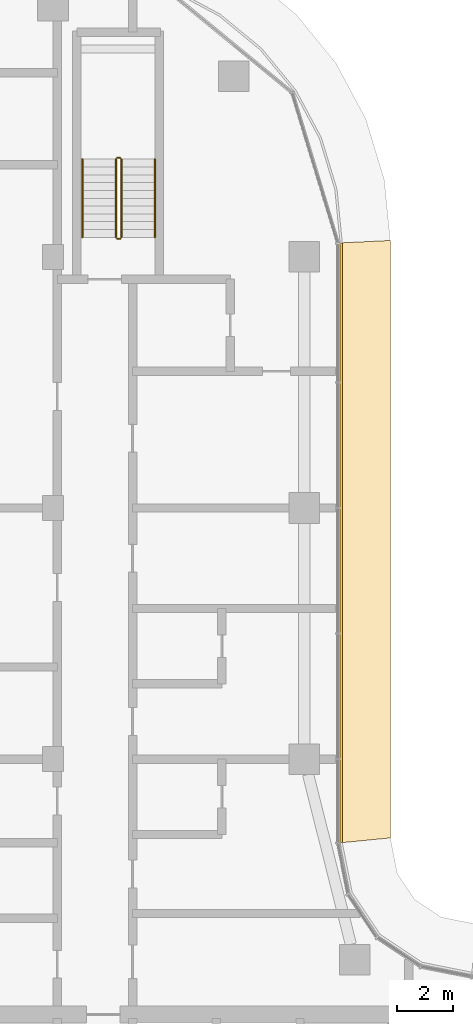
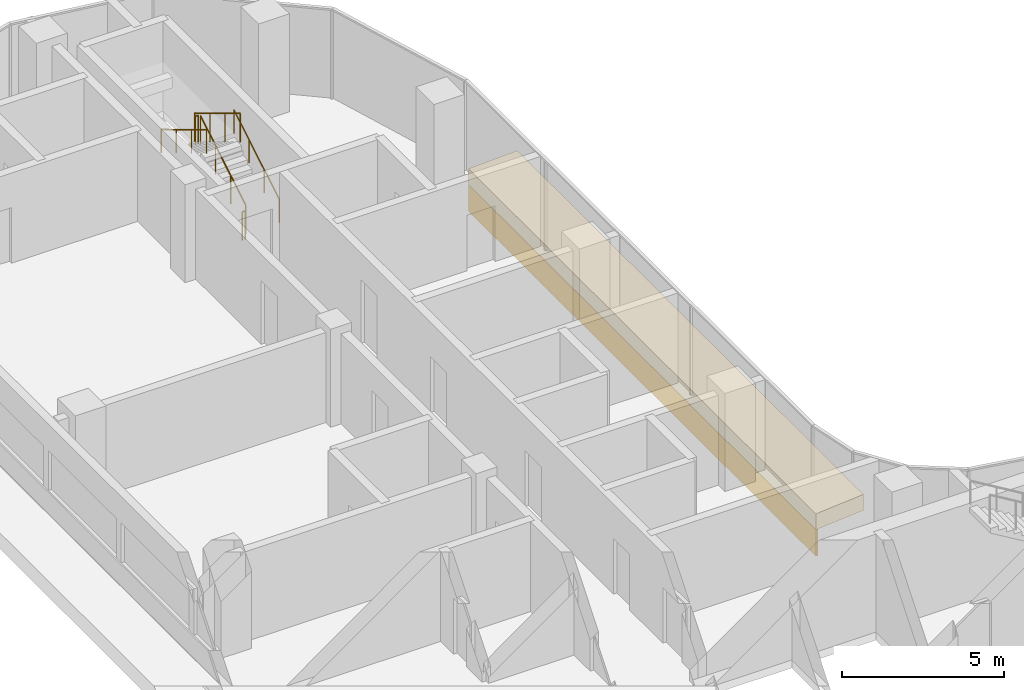
# One storey, part 26 of 27: 6 railings, 2 coverings.
"""IFC4 building model written with IfcOpenShell, lengths in metres."""

from ifc_helpers import new_model, si_unit, direction, frame, origin, origin_2d, place, context, subcontext, project, spatial, polyline, circle, outline, extrude, material, layer, layer_set, type_object, element, save


model = new_model("IFC4")

# Units and contexts
model_context = context("Model", 3, precision=1e-05, world=origin(), true_north=direction((0.0, 1.0)))
body_context = subcontext(model_context, "Body", "Model", "MODEL_VIEW")
ifc_project = project(units=[si_unit("LENGTHUNIT", "METRE"), si_unit("AREAUNIT", "SQUARE_METRE"), si_unit("VOLUMEUNIT", "CUBIC_METRE"), si_unit("PLANEANGLEUNIT", "RADIAN"), si_unit("MASSUNIT", "GRAM", prefix="KILO")], contexts=[model_context])

# Site, building, storey
site_placement = place(None, origin())
site = spatial("IfcSite", under=ifc_project, at=site_placement, CompositionType="ELEMENT")
building_placement = place(site_placement, origin())
building = spatial("IfcBuilding", under=site, at=building_placement, Name="Ogive Portal Towers", CompositionType="ELEMENT")
storey_placement = place(building_placement, frame((0.0, 0.0, 160.699951171875)))
storey = spatial("IfcBuildingStorey", under=building, at=storey_placement, Name="L39", CompositionType="ELEMENT", Elevation=160.699951171875)

# Railings
ifc_material_1 = material(Name="Stainless steel balustrade", Category="steel")
railing_type_1 = type_object("IfcRailingType", Name="INT-GUARD", PredefinedType="GUARDRAIL", material=ifc_material_1)
railing_1_placement = place(storey_placement, frame((42.949951171875, 67.199951171875, 0.168212890625)))
element("IfcRailing", 1, at=railing_1_placement, inside=storey, type_object=railing_type_1, Name="L39 ST-A3 stair guard 1", PredefinedType="GUARDRAIL", context=body_context, shape_type="SweptSolid", body=[
    extrude(circle(Radius=0.02392578125, at=origin_2d()), frame((0.0, 0.0, 1.076171875), z_axis=(0.0, 0.857242210791, 0.514913383045), x_axis=(-1.0, 0.0, 0.0)), (0.0, 0.0, 1.0), 3.266357421875),
    extrude(circle(Radius=0.02099609375, at=origin_2d()), origin(), (0.0, 0.0, 1.0), 1.052001953125),
    extrude(circle(Radius=0.02099609375, at=origin_2d()), frame((0.0, 0.933349609375, 0.560546875)), (0.0, 0.0, 1.0), 1.052001953125),
    extrude(circle(Radius=0.02099609375, at=origin_2d()), frame((0.0, 1.86669921875, 1.121337890625)), (0.0, 0.0, 1.0), 1.052001953125),
    extrude(circle(Radius=0.02099609375, at=origin_2d()), frame((0.0, 2.800048828125, 1.681884765625)), (0.0, 0.0, 1.0), 1.052001953125),
])
railing_2_placement = place(storey_placement, frame((42.89990234375, 70.050048828125, 1.85009765625)))
element("IfcRailing", 2, at=railing_2_placement, inside=storey, type_object=railing_type_1, Name="L39 ST-A3 stair guard 2", PredefinedType="GUARDRAIL", context=body_context, shape_type="SweptSolid", body=[
    extrude(circle(Radius=0.02392578125, at=origin_2d()), frame((0.0, 0.0, 1.076171875), z_axis=(-1.0, 0.0, 0.0), x_axis=(0.0, -1.0, 0.0)), (0.0, 0.0, 1.0), 0.099853515625),
    extrude(circle(Radius=0.02099609375, at=origin_2d()), origin(), (0.0, 0.0, 1.0), 1.052001953125),
    extrude(circle(Radius=0.02099609375, at=origin_2d()), frame((-0.099853515625, 0.0, 0.0)), (0.0, 0.0, 1.0), 1.052001953125),
])
railing_3_placement = place(storey_placement, frame((42.75, 70.0, 2.018310546875)))
element("IfcRailing", 3, at=railing_3_placement, inside=storey, type_object=railing_type_1, Name="L39 ST-A3 stair guard 3", PredefinedType="GUARDRAIL", context=body_context, shape_type="SweptSolid", body=[
    extrude(circle(Radius=0.02392578125, at=origin_2d()), frame((0.0, 0.0, 1.076171875), z_axis=(0.0, -0.857275202839, 0.514858452973), x_axis=(1.0, 0.0, 0.0)), (0.0, 0.0, 1.0), 3.26611328125),
    extrude(circle(Radius=0.02099609375, at=origin_2d()), origin(), (0.0, 0.0, 1.0), 1.052001953125),
    extrude(circle(Radius=0.02099609375, at=origin_2d()), frame((0.0, -0.933349609375, 0.560546875)), (0.0, 0.0, 1.0), 1.052001953125),
    extrude(circle(Radius=0.02099609375, at=origin_2d()), frame((0.0, -1.86669921875, 1.12109375)), (0.0, 0.0, 1.0), 1.052001953125),
    extrude(circle(Radius=0.02099609375, at=origin_2d()), frame((0.0, -2.800048828125, 1.681640625)), (0.0, 0.0, 1.0), 1.052001953125),
])
railing_4_placement = place(storey_placement, frame((42.89990234375, 67.14990234375, 0.0)))
element("IfcRailing", 4, at=railing_4_placement, inside=storey, type_object=railing_type_1, Name="L39 ST-A3 stair guard 4", PredefinedType="GUARDRAIL", context=body_context, shape_type="SweptSolid", body=[
    extrude(circle(Radius=0.02392578125, at=origin_2d()), frame((0.0, 0.0, 1.076171875), z_axis=(-1.0, 0.0, 0.0), x_axis=(0.0, -1.0, 0.0)), (0.0, 0.0, 1.0), 0.099853515625),
    extrude(circle(Radius=0.02099609375, at=origin_2d()), origin(), (0.0, 0.0, 1.0), 1.052001953125),
    extrude(circle(Radius=0.02099609375, at=origin_2d()), frame((-0.099853515625, 0.0, 0.0)), (0.0, 0.0, 1.0), 1.052001953125),
])
ifc_material_2 = material(Name="Stainless steel handrail", Category="steel")
railing_type_2 = type_object("IfcRailingType", Name="INT-HANDRAIL", PredefinedType="HANDRAIL", material=ifc_material_2)
railing_5_placement = place(storey_placement, frame((44.14990234375, 67.199951171875, 0.168212890625)))
element("IfcRailing", 5, at=railing_5_placement, inside=storey, type_object=railing_type_2, Name="L39 ST-A3 stair handrail 1", PredefinedType="HANDRAIL", context=body_context, shape_type="SweptSolid", body=[
    extrude(circle(Radius=0.02392578125, at=origin_2d()), frame((0.0, 0.0, 0.8759765625), z_axis=(0.0, 0.857242210791, 0.514913383045), x_axis=(-1.0, 0.0, 0.0)), (0.0, 0.0, 1.0), 3.266357421875),
    extrude(circle(Radius=0.02099609375, at=origin_2d()), origin(), (0.0, 0.0, 1.0), 0.851806640625),
    extrude(circle(Radius=0.02099609375, at=origin_2d()), frame((0.0, 0.933349609375, 0.560546875)), (0.0, 0.0, 1.0), 0.851806640625),
    extrude(circle(Radius=0.02099609375, at=origin_2d()), frame((0.0, 1.86669921875, 1.121337890625)), (0.0, 0.0, 1.0), 0.851806640625),
    extrude(circle(Radius=0.02099609375, at=origin_2d()), frame((0.0, 2.800048828125, 1.681884765625)), (0.0, 0.0, 1.0), 0.851806640625),
])
railing_6_placement = place(storey_placement, frame((41.550048828125, 70.0, 2.018310546875)))
element("IfcRailing", 6, at=railing_6_placement, inside=storey, type_object=railing_type_2, Name="L39 ST-A3 stair handrail 2", PredefinedType="HANDRAIL", context=body_context, shape_type="SweptSolid", body=[
    extrude(circle(Radius=0.02392578125, at=origin_2d()), frame((0.0, 0.0, 0.8759765625), z_axis=(0.0, -0.857275202839, 0.514858452973), x_axis=(1.0, 0.0, 0.0)), (0.0, 0.0, 1.0), 3.26611328125),
    extrude(circle(Radius=0.02099609375, at=origin_2d()), origin(), (0.0, 0.0, 1.0), 0.851806640625),
    extrude(circle(Radius=0.02099609375, at=origin_2d()), frame((0.0, -0.933349609375, 0.560546875)), (0.0, 0.0, 1.0), 0.851806640625),
    extrude(circle(Radius=0.02099609375, at=origin_2d()), frame((0.0, -1.86669921875, 1.12109375)), (0.0, 0.0, 1.0), 0.851806640625),
    extrude(circle(Radius=0.02099609375, at=origin_2d()), frame((0.0, -2.800048828125, 1.681640625)), (0.0, 0.0, 1.0), 0.851806640625),
])

# Coverings
ifc_material_3 = material(Name="Limestone cladding on lightweight block wall", Category="masonry")
ifc_layer_1 = layer(ifc_material_3, 0.080078125)
ifc_layer_set_1 = layer_set([ifc_layer_1], Name="STONE SPANDREL 80")
covering_type_1 = type_object("IfcCoveringType", Name="STONE SPANDREL 80", PredefinedType="CLADDING", material=ifc_layer_set_1)
covering_1_placement = place(storey_placement, frame((0.0, 0.0, -1.599853515625)))
element("IfcCovering", 7, at=covering_1_placement, inside=storey, type_object=covering_type_1, Name="Stone spandrel A1-F09", PredefinedType="CLADDING", context=body_context, shape_type="SweptSolid", body=[
    extrude(outline(polyline([(50.784912109375, 45.5), (50.784912109375, 67.0), (50.864990234375, 67.00390625), (50.864990234375, 45.5078125), (50.784912109375, 45.5)])), origin(), (0.0, 0.0, 1.0), 1.0),
])
ifc_layer_2 = layer(ifc_material_3, 0.60009765625)
ifc_layer_set_2 = layer_set([ifc_layer_2], Name="SUNSHADE LIP 600")
covering_type_2 = type_object("IfcCoveringType", Name="SUNSHADE LIP 600", PredefinedType="CLADDING", material=ifc_layer_set_2)
covering_2_placement = place(storey_placement, frame((0.0, 0.0, -0.599853515625)))
element("IfcCovering", 8, at=covering_2_placement, inside=storey, type_object=covering_type_2, Name="Sunshade lip A1-F09", PredefinedType="CLADDING", context=body_context, shape_type="SweptSolid", body=[
    extrude(outline(polyline([(50.784912109375, 45.5), (50.784912109375, 67.0), (52.5849609375, 67.08837890625), (52.5849609375, 45.67724609375), (50.784912109375, 45.5)])), origin(), (0.0, 0.0, 1.0), 0.599853515625),
])

save(model, "model.ifc")
